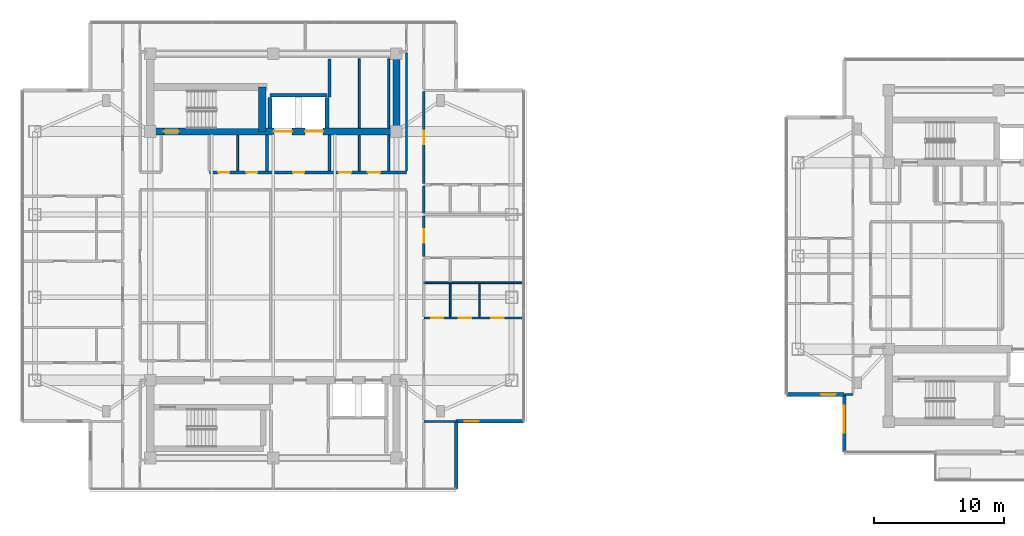
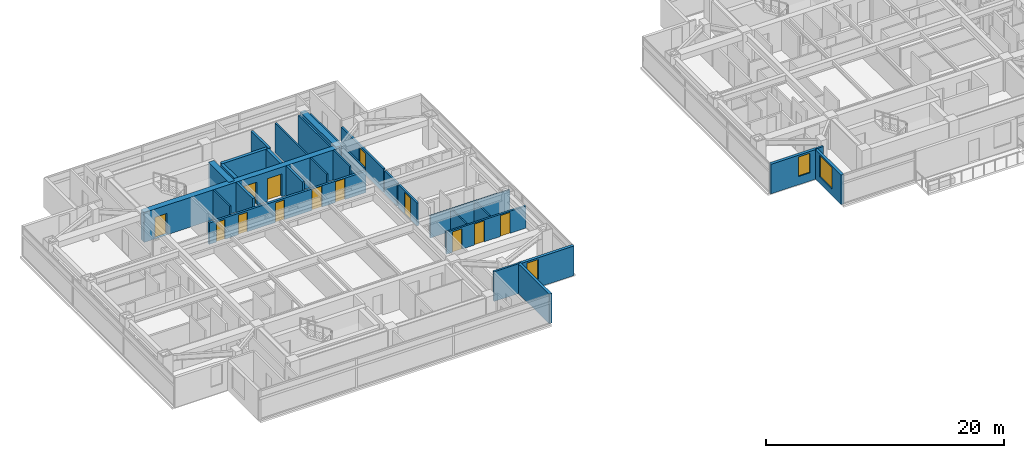
# One storey, part 13 of 23: 29 walls, 13 doors, 3 windows, 16 openings.
"""IFC4 building model written with IfcOpenShell, lengths in metres."""

from ifc_helpers import new_model, si_unit, direction, frame, frame_2d, origin, place, context, subcontext, project, spatial, rectangle, extrude, material, layer, layer_set, type_object, element, fill, save


model = new_model("IFC4")

# Units and contexts
model_context = context("Model", 3, precision=1e-05, world=origin(), true_north=direction((0.0, 1.0)))
body_context = subcontext(model_context, "Body", "Model", "MODEL_VIEW")
ifc_project = project(units=[si_unit("LENGTHUNIT", "METRE"), si_unit("AREAUNIT", "SQUARE_METRE"), si_unit("VOLUMEUNIT", "CUBIC_METRE"), si_unit("PLANEANGLEUNIT", "RADIAN"), si_unit("MASSUNIT", "GRAM", prefix="KILO")], contexts=[model_context])

# Site, building, storey
site_placement = place(None, origin())
site = spatial("IfcSite", under=ifc_project, at=site_placement, CompositionType="ELEMENT")
building_placement = place(site_placement, origin())
building = spatial("IfcBuilding", under=site, at=building_placement, Name="Mirazonda Arch Towers", CompositionType="ELEMENT")
storey_placement = place(building_placement, frame((0.0, 0.0, 183.64990234375)))
storey = spatial("IfcBuildingStorey", under=building, at=storey_placement, Name="L52", CompositionType="ELEMENT", Elevation=183.64990234375)

# Wall
ifc_material_1 = material(Name="Concrete C50/60", Category="concrete")
ifc_layer_1 = layer(ifc_material_1, 0.550048828125, Name="WALL-CORE-550")
ifc_layer_set_1 = layer_set([ifc_layer_1], Name="Concrete C50/60")
wall_type_1 = type_object("IfcWallType", Name="WALL-CORE-550", PredefinedType="SHEAR", material=ifc_layer_set_1)
wall_1_placement = place(storey_placement, frame((30.0, 37.60009765625, 0.0), z_axis=(0.0, 0.0, 1.0), x_axis=(0.0, 1.0, 0.0)))
element("IfcWall", 1, at=wall_1_placement, inside=storey, type_object=wall_type_1, Name="L52 T1N-E Core Shear Wall", PredefinedType="SHEAR", context=body_context, shape_type="SweptSolid", body=[
    extrude(rectangle(XDim=6.0, YDim=0.550048828125, at=frame_2d((3.0, 0.0))), origin(), (0.0, 0.0, 1.0), 3.050048828125),
])

# Wall, openings, doors
wall_2_placement = place(storey_placement, frame((11.0, 37.60009765625, 0.0), z_axis=(0.0, 0.0, 1.0), x_axis=(1.0, 0.0, 0.0)))
wall_2 = element("IfcWall", 2, at=wall_2_placement, inside=storey, type_object=wall_type_1, Name="L52 T1N-S Core Shear Wall", PredefinedType="SHEAR", context=body_context, shape_type="SweptSolid", body=[
    extrude(rectangle(XDim=19.0, YDim=0.550048828125, at=frame_2d((9.5, 0.0))), origin(), (0.0, 0.0, 1.0), 3.050048828125),
])
opening_1_placement = place(wall_2_placement, frame((1.06005859375, 0.0, 0.0)))
opening_1 = element("IfcOpeningElement", 3, at=opening_1_placement, cuts=wall_2, Name="Opening DR-135", PredefinedType="OPENING", context=body_context, shape_type="SweptSolid", body=[
    extrude(rectangle(XDim=1.14990234375, YDim=2.199951171875, at=frame_2d((0.574951171875, 1.10009765625))), frame((0.0, 0.284912109375, 0.0), z_axis=(0.0, -1.0, 0.0), x_axis=(1.0, 0.0, 0.0)), (0.0, 0.0, 1.0), 0.570068359375),
])
opening_2_placement = place(wall_2_placement, frame((9.550048828125, 0.0, 0.0)))
opening_2 = element("IfcOpeningElement", 4, at=opening_2_placement, cuts=wall_2, Name="Opening LD-112", PredefinedType="OPENING", context=body_context, shape_type="SweptSolid", body=[
    extrude(rectangle(XDim=1.39990234375, YDim=2.35009765625, at=frame_2d((0.699951171875, 1.175048828125))), frame((0.0, 0.284912109375, 0.0), z_axis=(0.0, -1.0, 0.0), x_axis=(1.0, 0.0, 0.0)), (0.0, 0.0, 1.0), 0.570068359375),
])
opening_3_placement = place(wall_2_placement, frame((11.949951171875, 0.0, 0.0)))
opening_3 = element("IfcOpeningElement", 5, at=opening_3_placement, cuts=wall_2, Name="Opening LD-112", PredefinedType="OPENING", context=body_context, shape_type="SweptSolid", body=[
    extrude(rectangle(XDim=1.39990234375, YDim=2.35009765625, at=frame_2d((0.699951171875, 1.175048828125))), frame((0.0, 0.284912109375, 0.0), z_axis=(0.0, -1.0, 0.0), x_axis=(1.0, 0.0, 0.0)), (0.0, 0.0, 1.0), 0.570068359375),
])
ifc_material_2 = material(Name="Architectural Brushed Steel S355", Category="steel")
door_type_1 = type_object("IfcDoorType", Name="DOOR-LIFT-FFL-1400", OperationType="NOTDEFINED", PredefinedType="DOOR", material=ifc_material_2)
door_1_placement = place(opening_2_placement, origin())
door_1 = element("IfcDoor", 6, at=door_1_placement, inside=storey, type_object=door_type_1, Name="L52 Lift Landing Sliding Door FFL-T1", OperationType="DOUBLE_DOOR_SLIDING", OverallHeight=2.35009765625, OverallWidth=1.39990234375, PredefinedType="DOOR", context=body_context, shape_type="SweptSolid", body=[
    extrude(rectangle(XDim=1.39990234375, YDim=2.35009765625, at=frame_2d((0.699951171875, 1.175048828125))), frame((0.0, 0.02490234375, 0.0), z_axis=(0.0, -1.0, 0.0), x_axis=(1.0, 0.0, 0.0)), (0.0, 0.0, 1.0), 0.050048828125),
])
fill(opening_2, door_1)
door_2_placement = place(opening_3_placement, origin())
door_2 = element("IfcDoor", 7, at=door_2_placement, inside=storey, type_object=door_type_1, Name="L52 Lift Landing Sliding Door SVL-T1", OperationType="DOUBLE_DOOR_SLIDING", OverallHeight=2.35009765625, OverallWidth=1.39990234375, PredefinedType="DOOR", context=body_context, shape_type="SweptSolid", body=[
    extrude(rectangle(XDim=1.39990234375, YDim=2.35009765625, at=frame_2d((0.699951171875, 1.175048828125))), frame((0.0, 0.02490234375, 0.0), z_axis=(0.0, -1.0, 0.0), x_axis=(1.0, 0.0, 0.0)), (0.0, 0.0, 1.0), 0.050048828125),
])
fill(opening_3, door_2)
door_type_2 = type_object("IfcDoorType", Name="DOOR-STAIR-FD90-1150", OperationType="NOTDEFINED", PredefinedType="DOOR", material=ifc_material_2)
door_3_placement = place(opening_1_placement, origin())
door_3 = element("IfcDoor", 8, at=door_3_placement, inside=storey, type_object=door_type_2, Name="L52 Protected Exit Stair North Door", OperationType="SINGLE_SWING_LEFT", OverallHeight=2.199951171875, OverallWidth=1.14990234375, PredefinedType="DOOR", context=body_context, shape_type="SweptSolid", body=[
    extrude(rectangle(XDim=1.14990234375, YDim=2.199951171875, at=frame_2d((0.574951171875, 1.10009765625))), frame((0.0, 0.02490234375, 0.0), z_axis=(0.0, -1.0, 0.0), x_axis=(1.0, 0.0, 0.0)), (0.0, 0.0, 1.0), 0.050048828125),
])
fill(opening_1, door_3)

# Wall
wall_3_placement = place(storey_placement, frame((19.64990234375, 37.60009765625, 0.0), z_axis=(0.0, 0.0, 1.0), x_axis=(0.0, 1.0, 0.0)))
element("IfcWall", 9, at=wall_3_placement, inside=storey, type_object=wall_type_1, Name="L52 T1N-STE Core Shear Wall", PredefinedType="SHEAR", context=body_context, shape_type="SweptSolid", body=[
    extrude(rectangle(XDim=3.44287109375, YDim=0.550048828125, at=frame_2d((1.721435546875, 0.0))), origin(), (0.0, 0.0, 1.0), 3.050048828125),
])

# Wall, opening, window
ifc_material_3 = material(Name="Precast Concrete C40/50", Category="concrete")
ifc_layer_2 = layer(ifc_material_3, 0.280029296875, Name="WALL-EXT-WALL-280")
ifc_layer_set_2 = layer_set([ifc_layer_2], Name="Precast Concrete C40/50")
wall_type_2 = type_object("IfcWallType", Name="WALL-EXT-WALL-280", PredefinedType="SOLIDWALL", material=ifc_layer_set_2)
wall_4_placement = place(storey_placement, frame((34.614990234375, 15.22509765625, 0.0), z_axis=(0.0, 0.0, 1.0), x_axis=(1.0, 0.0, 0.0)))
wall_4 = element("IfcWall", 10, at=wall_4_placement, inside=storey, type_object=wall_type_2, Name="L52 T1 Corner Notch Return Wall WL-L52-T1-CSE1", PredefinedType="SOLIDWALL", context=body_context, shape_type="SweptSolid", body=[
    extrude(rectangle(XDim=5.215087890625, YDim=0.280029296875, at=frame_2d((2.607421875, 0.0))), origin(), (0.0, 0.0, 1.0), 3.030029296875),
])
opening_4_placement = place(wall_4_placement, frame((0.64990234375, 0.0, 0.85009765625)))
opening_4 = element("IfcOpeningElement", 11, at=opening_4_placement, cuts=wall_4, Name="Opening WN-108", PredefinedType="OPENING", context=body_context, shape_type="SweptSolid", body=[
    extrude(rectangle(XDim=1.10009765625, YDim=2.0, at=frame_2d((0.550048828125, 1.0))), frame((0.0, 0.14990234375, 0.0), z_axis=(0.0, -1.0, 0.0), x_axis=(1.0, 0.0, 0.0)), (0.0, 0.0, 1.0), 0.300048828125),
])
ifc_material_4 = material(Name="Insulated Low-E Solar Glass", Category="glass")
window_type_1 = type_object("IfcWindowType", Name="WIN-NOTCH-1100x2000", PartitioningType="SINGLE_PANEL", PredefinedType="WINDOW", material=ifc_material_4)
window_1_placement = place(opening_4_placement, origin())
window_1 = element("IfcWindow", 12, at=window_1_placement, inside=storey, type_object=window_type_1, Name="L52 Punched Facade Window WN-L52-T1-CSE1", OverallHeight=2.0, OverallWidth=1.10009765625, PartitioningType="SINGLE_PANEL", PredefinedType="WINDOW", context=body_context, shape_type="SweptSolid", body=[
    extrude(rectangle(XDim=1.10009765625, YDim=2.0, at=frame_2d((0.550048828125, 1.0))), frame((0.0, 0.030029296875, 0.0), z_axis=(0.0, -1.0, 0.0), x_axis=(1.0, 0.0, 0.0)), (0.0, 0.0, 1.0), 0.06005859375),
])
fill(opening_4, window_1)

# Wall
wall_5_placement = place(storey_placement, frame((34.614990234375, 10.010009765625, 0.0), z_axis=(0.0, 0.0, 1.0), x_axis=(0.0, 1.0, 0.0)))
element("IfcWall", 13, at=wall_5_placement, inside=storey, type_object=wall_type_2, Name="L52 T1 Corner Notch Return Wall WL-L52-T1-CSE2", PredefinedType="SOLIDWALL", context=body_context, shape_type="SweptSolid", body=[
    extrude(rectangle(XDim=5.215087890625, YDim=0.280029296875, at=frame_2d((2.607421875, 0.0))), origin(), (0.0, 0.0, 1.0), 3.030029296875),
])

# Wall, opening, window
wall_6_placement = place(storey_placement, frame((64.562255859375, 17.30126953125, 0.0), z_axis=(0.0, 0.0, 1.0), x_axis=(0.0, -1.0, 0.0)))
wall_6 = element("IfcWall", 14, at=wall_6_placement, inside=storey, type_object=wall_type_2, Name="L52 T2 Notched SW Corner Wall WL-L52-T2-CSW", PredefinedType="SOLIDWALL", context=body_context, shape_type="SweptSolid", body=[
    extrude(rectangle(XDim=4.439697265625, YDim=0.280029296875, at=frame_2d((2.2197265625, 0.0))), origin(), (0.0, 0.0, 1.0), 3.030029296875),
])
opening_5_placement = place(wall_6_placement, frame((0.85009765625, 0.0, 0.679931640625)))
opening_5 = element("IfcOpeningElement", 15, at=opening_5_placement, cuts=wall_6, Name="Opening WN-117", PredefinedType="OPENING", context=body_context, shape_type="SweptSolid", body=[
    extrude(rectangle(XDim=2.10009765625, YDim=2.199951171875, at=frame_2d((1.050048828125, 1.10009765625))), frame((0.0, 0.14990234375, 0.0), z_axis=(0.0, -1.0, 0.0), x_axis=(1.0, 0.0, 0.0)), (0.0, 0.0, 1.0), 0.300048828125),
])
window_type_2 = type_object("IfcWindowType", Name="WIN-RES-2100x2200", PartitioningType="SINGLE_PANEL", PredefinedType="WINDOW", material=ifc_material_4)
window_2_placement = place(opening_5_placement, origin())
window_2 = element("IfcWindow", 16, at=window_2_placement, inside=storey, type_object=window_type_2, Name="L52 Punched Facade Window WN-L52-T2-CSW", OverallHeight=2.199951171875, OverallWidth=2.10009765625, PartitioningType="SINGLE_PANEL", PredefinedType="WINDOW", context=body_context, shape_type="SweptSolid", body=[
    extrude(rectangle(XDim=2.10009765625, YDim=2.199951171875, at=frame_2d((1.050048828125, 1.10009765625))), frame((0.0, 0.030029296875, 0.0), z_axis=(0.0, -1.0, 0.0), x_axis=(1.0, 0.0, 0.0)), (0.0, 0.0, 1.0), 0.06005859375),
])
fill(opening_5, window_2)

wall_7_placement = place(storey_placement, frame((60.12255859375, 17.30126953125, 0.0), z_axis=(0.0, 0.0, 1.0), x_axis=(1.0, 0.0, 0.0)))
wall_7 = element("IfcWall", 17, at=wall_7_placement, inside=storey, type_object=wall_type_2, Name="L52 T2 Corner Notch Return Wall WL-L52-T2-CSW2", PredefinedType="SOLIDWALL", context=body_context, shape_type="SweptSolid", body=[
    extrude(rectangle(XDim=4.439697265625, YDim=0.280029296875, at=frame_2d((2.2197265625, 0.0))), origin(), (0.0, 0.0, 1.0), 3.030029296875),
])
opening_6_placement = place(wall_7_placement, frame((2.68994140625, 0.0, 0.85009765625)))
opening_6 = element("IfcOpeningElement", 18, at=opening_6_placement, cuts=wall_7, Name="Opening WN-108", PredefinedType="OPENING", context=body_context, shape_type="SweptSolid", body=[
    extrude(rectangle(XDim=1.10009765625, YDim=2.0, at=frame_2d((0.550048828125, 1.0))), frame((0.0, 0.14990234375, 0.0), z_axis=(0.0, -1.0, 0.0), x_axis=(1.0, 0.0, 0.0)), (0.0, 0.0, 1.0), 0.300048828125),
])
window_3_placement = place(opening_6_placement, origin())
window_3 = element("IfcWindow", 19, at=window_3_placement, inside=storey, type_object=window_type_1, Name="L52 Punched Facade Window WN-L52-T2-CSW2", OverallHeight=2.0, OverallWidth=1.10009765625, PartitioningType="SINGLE_PANEL", PredefinedType="WINDOW", context=body_context, shape_type="SweptSolid", body=[
    extrude(rectangle(XDim=1.10009765625, YDim=2.0, at=frame_2d((0.550048828125, 1.0))), frame((0.0, 0.030029296875, 0.0), z_axis=(0.0, -1.0, 0.0), x_axis=(1.0, 0.0, 0.0)), (0.0, 0.0, 1.0), 0.06005859375),
])
fill(opening_6, window_3)

# Wall, openings, doors
ifc_material_5 = material(Name="Concrete C40/50", Category="concrete")
ifc_layer_3 = layer(ifc_material_5, 0.219970703125, Name="WALL-FFL-220")
ifc_layer_set_3 = layer_set([ifc_layer_3], Name="Concrete C40/50")
wall_type_3 = type_object("IfcWallType", Name="WALL-FFL-220", PredefinedType="SOLIDWALL", material=ifc_layer_set_3)
wall_8_placement = place(storey_placement, frame((15.590087890625, 34.449951171875, 0.0), z_axis=(0.0, 0.0, 1.0), x_axis=(1.0, 0.0, 0.0)))
wall_8 = element("IfcWall", 20, at=wall_8_placement, inside=storey, type_object=wall_type_3, Name="L52 Interior Partition 049", PredefinedType="SOLIDWALL", context=body_context, shape_type="SweptSolid", body=[
    extrude(rectangle(XDim=15.18994140625, YDim=0.219970703125, at=frame_2d((7.594970703125, 0.0))), origin(), (0.0, 0.0, 1.0), 2.18603515625),
])
opening_7_placement = place(wall_8_placement, frame((6.43505859375, 0.0, 0.0)))
opening_7 = element("IfcOpeningElement", 21, at=opening_7_placement, cuts=wall_8, Name="Opening DR-128", PredefinedType="OPENING", context=body_context, shape_type="SweptSolid", body=[
    extrude(rectangle(XDim=0.85009765625, YDim=2.010009765625, at=frame_2d((0.425048828125, 1.0048828125))), frame((0.0, 0.119873046875, 0.0), z_axis=(0.0, -1.0, 0.0), x_axis=(1.0, 0.0, 0.0)), (0.0, 0.0, 1.0), 0.239990234375),
])
opening_8_placement = place(wall_8_placement, frame((9.9599609375, 0.0, 0.0)))
opening_8 = element("IfcOpeningElement", 22, at=opening_8_placement, cuts=wall_8, Name="Opening DR-104", PredefinedType="OPENING", context=body_context, shape_type="SweptSolid", body=[
    extrude(rectangle(XDim=0.949951171875, YDim=2.14990234375, at=frame_2d((0.47509765625, 1.074951171875))), frame((0.0, 0.119873046875, 0.0), z_axis=(0.0, -1.0, 0.0), x_axis=(1.0, 0.0, 0.0)), (0.0, 0.0, 1.0), 0.239990234375),
])
opening_9_placement = place(wall_8_placement, frame((12.2099609375, 0.0, 0.0)))
opening_9 = element("IfcOpeningElement", 23, at=opening_9_placement, cuts=wall_8, Name="Opening DR-104", PredefinedType="OPENING", context=body_context, shape_type="SweptSolid", body=[
    extrude(rectangle(XDim=0.949951171875, YDim=2.14990234375, at=frame_2d((0.47509765625, 1.074951171875))), frame((0.0, 0.119873046875, 0.0), z_axis=(0.0, -1.0, 0.0), x_axis=(1.0, 0.0, 0.0)), (0.0, 0.0, 1.0), 0.239990234375),
])
opening_10_placement = place(wall_8_placement, frame((0.675048828125, 0.0, 0.0)))
opening_10 = element("IfcOpeningElement", 24, at=opening_10_placement, cuts=wall_8, Name="Opening DR-128", PredefinedType="OPENING", context=body_context, shape_type="SweptSolid", body=[
    extrude(rectangle(XDim=0.85009765625, YDim=2.010009765625, at=frame_2d((0.425048828125, 1.0048828125))), frame((0.0, 0.119873046875, 0.0), z_axis=(0.0, -1.0, 0.0), x_axis=(1.0, 0.0, 0.0)), (0.0, 0.0, 1.0), 0.239990234375),
])
opening_11_placement = place(wall_8_placement, frame((2.8349609375, 0.0, 0.0)))
opening_11 = element("IfcOpeningElement", 25, at=opening_11_placement, cuts=wall_8, Name="Opening DR-128", PredefinedType="OPENING", context=body_context, shape_type="SweptSolid", body=[
    extrude(rectangle(XDim=0.85009765625, YDim=2.010009765625, at=frame_2d((0.425048828125, 1.0048828125))), frame((0.0, 0.119873046875, 0.0), z_axis=(0.0, -1.0, 0.0), x_axis=(1.0, 0.0, 0.0)), (0.0, 0.0, 1.0), 0.239990234375),
])
door_type_3 = type_object("IfcDoorType", Name="DOOR-RISER-FD60-850", OperationType="NOTDEFINED", PredefinedType="DOOR", material=ifc_material_2)
door_4_placement = place(opening_7_placement, origin())
door_4 = element("IfcDoor", 26, at=door_4_placement, inside=storey, type_object=door_type_3, Name="L52 Firefighting Lift Lobby Door", OperationType="SINGLE_SWING_RIGHT", OverallHeight=2.010009765625, OverallWidth=0.85009765625, PredefinedType="DOOR", context=body_context, shape_type="SweptSolid", body=[
    extrude(rectangle(XDim=0.85009765625, YDim=2.010009765625, at=frame_2d((0.425048828125, 1.0048828125))), frame((0.0, 0.02490234375, 0.0), z_axis=(0.0, -1.0, 0.0), x_axis=(1.0, 0.0, 0.0)), (0.0, 0.0, 1.0), 0.050048828125),
])
fill(opening_7, door_4)
door_5_placement = place(opening_10_placement, origin())
door_5 = element("IfcDoor", 27, at=door_5_placement, inside=storey, type_object=door_type_3, Name="L52 Electrical Room Door", OperationType="SINGLE_SWING_LEFT", OverallHeight=2.010009765625, OverallWidth=0.85009765625, PredefinedType="DOOR", context=body_context, shape_type="SweptSolid", body=[
    extrude(rectangle(XDim=0.85009765625, YDim=2.010009765625, at=frame_2d((0.425048828125, 1.0048828125))), frame((0.0, 0.02490234375, 0.0), z_axis=(0.0, -1.0, 0.0), x_axis=(1.0, 0.0, 0.0)), (0.0, 0.0, 1.0), 0.050048828125),
])
fill(opening_10, door_5)
door_6_placement = place(opening_11_placement, origin())
door_6 = element("IfcDoor", 28, at=door_6_placement, inside=storey, type_object=door_type_3, Name="L52 Cleaners & Housekeeping Store Door", OperationType="SINGLE_SWING_RIGHT", OverallHeight=2.010009765625, OverallWidth=0.85009765625, PredefinedType="DOOR", context=body_context, shape_type="SweptSolid", body=[
    extrude(rectangle(XDim=0.85009765625, YDim=2.010009765625, at=frame_2d((0.425048828125, 1.0048828125))), frame((0.0, 0.02490234375, 0.0), z_axis=(0.0, -1.0, 0.0), x_axis=(1.0, 0.0, 0.0)), (0.0, 0.0, 1.0), 0.050048828125),
])
fill(opening_11, door_6)
door_type_4 = type_object("IfcDoorType", Name="DOOR-ROOM-950", OperationType="NOTDEFINED", PredefinedType="DOOR", material=ifc_material_2)
door_7_placement = place(opening_8_placement, origin())
door_7 = element("IfcDoor", 29, at=door_7_placement, inside=storey, type_object=door_type_4, Name="L52 Residents Private Art Gallery Door", OperationType="SINGLE_SWING_LEFT", OverallHeight=2.14990234375, OverallWidth=0.949951171875, PredefinedType="DOOR", context=body_context, shape_type="SweptSolid", body=[
    extrude(rectangle(XDim=0.949951171875, YDim=2.14990234375, at=frame_2d((0.47509765625, 1.074951171875))), frame((0.0, 0.02490234375, 0.0), z_axis=(0.0, -1.0, 0.0), x_axis=(1.0, 0.0, 0.0)), (0.0, 0.0, 1.0), 0.050048828125),
])
fill(opening_8, door_7)
door_8_placement = place(opening_9_placement, origin())
door_8 = element("IfcDoor", 30, at=door_8_placement, inside=storey, type_object=door_type_4, Name="L52 Private Quiet Study Door", OperationType="SINGLE_SWING_RIGHT", OverallHeight=2.14990234375, OverallWidth=0.949951171875, PredefinedType="DOOR", context=body_context, shape_type="SweptSolid", body=[
    extrude(rectangle(XDim=0.949951171875, YDim=2.14990234375, at=frame_2d((0.47509765625, 1.074951171875))), frame((0.0, 0.02490234375, 0.0), z_axis=(0.0, -1.0, 0.0), x_axis=(1.0, 0.0, 0.0)), (0.0, 0.0, 1.0), 0.050048828125),
])
fill(opening_9, door_8)

# Walls
for number, where, z_axis, x_axis, name in (
    (31, (20.02490234375, 34.570068359375, 0.0), (0.0, 0.0, 1.0), (0.0, 1.0, 0.0), "L52 Interior Partition 085"),
    (32, (24.85009765625, 34.570068359375, 0.0), (0.0, 0.0, 1.0), (0.0, 1.0, 0.0), "L52 Interior Partition 095"),
):
    element("IfcWall", number, at=place(storey_placement, frame(where, z_axis=z_axis, x_axis=x_axis)), inside=storey, type_object=wall_type_3, Name=name, PredefinedType="SOLIDWALL", context=body_context, shape_type="SweptSolid", body=[
        extrude(rectangle(XDim=2.760009765625, YDim=0.219970703125, at=frame_2d((1.3798828125, 0.0))), origin(), (0.0, 0.0, 1.0), 3.050048828125),
    ])
wall_9_placement = place(storey_placement, frame((24.85009765625, 40.260009765625, 0.0), z_axis=(0.0, 0.0, 1.0), x_axis=(0.0, 1.0, 0.0)))
element("IfcWall", 33, at=wall_9_placement, inside=storey, type_object=wall_type_3, Name="L52 Interior Partition 096", PredefinedType="SOLIDWALL", context=body_context, shape_type="SweptSolid", body=[
    extrude(rectangle(XDim=2.93994140625, YDim=0.219970703125, at=frame_2d((1.469970703125, 0.0))), origin(), (0.0, 0.0, 1.0), 3.050048828125),
])
ifc_material_6 = material(Name="Fire-Rated Gypsum Stud Partition")
ifc_layer_4 = layer(ifc_material_6, 0.14990234375, Name="WALL-PART-CORR-150")
ifc_layer_set_4 = layer_set([ifc_layer_4], Name="Fire-Rated Gypsum Stud Partition")
wall_type_4 = type_object("IfcWallType", Name="WALL-PART-CORR-150", PredefinedType="PARTITIONING", material=ifc_layer_set_4)
for number, where, z_axis, x_axis, name in (
    (34, (17.75, 34.570068359375, 0.0), (0.0, 0.0, 1.0), (0.0, 1.0, 0.0), "L52 Interior Partition 083"),
    (35, (27.14990234375, 34.570068359375, 0.0), (0.0, 0.0, 1.0), (0.0, 1.0, 0.0), "L52 Interior Partition 098"),
):
    element("IfcWall", number, at=place(storey_placement, frame(where, z_axis=z_axis, x_axis=x_axis)), inside=storey, type_object=wall_type_4, Name=name, PredefinedType="PARTITIONING", context=body_context, shape_type="SweptSolid", body=[
        extrude(rectangle(XDim=2.760009765625, YDim=0.14990234375, at=frame_2d((1.3798828125, 0.0))), origin(), (0.0, 0.0, 1.0), 3.050048828125),
    ])
wall_10_placement = place(storey_placement, frame((27.14990234375, 37.8701171875, 0.0), z_axis=(0.0, 0.0, 1.0), x_axis=(0.0, 1.0, 0.0)))
element("IfcWall", 36, at=wall_10_placement, inside=storey, type_object=wall_type_4, Name="L52 Interior Partition 099", PredefinedType="PARTITIONING", context=body_context, shape_type="SweptSolid", body=[
    extrude(rectangle(XDim=5.329833984375, YDim=0.14990234375, at=frame_2d((2.6650390625, 0.0))), origin(), (0.0, 0.0, 1.0), 3.050048828125),
])
wall_11_placement = place(storey_placement, frame((29.39990234375, 34.570068359375, 0.0), z_axis=(0.0, 0.0, 1.0), x_axis=(0.0, 1.0, 0.0)))
element("IfcWall", 37, at=wall_11_placement, inside=storey, type_object=wall_type_4, Name="L52 Interior Partition 102", PredefinedType="PARTITIONING", context=body_context, shape_type="SweptSolid", body=[
    extrude(rectangle(XDim=2.760009765625, YDim=0.14990234375, at=frame_2d((1.3798828125, 0.0))), origin(), (0.0, 0.0, 1.0), 3.050048828125),
])
wall_12_placement = place(storey_placement, frame((29.39990234375, 37.8701171875, 0.0), z_axis=(0.0, 0.0, 1.0), x_axis=(0.0, 1.0, 0.0)))
element("IfcWall", 38, at=wall_12_placement, inside=storey, type_object=wall_type_4, Name="L52 Interior Partition 103", PredefinedType="PARTITIONING", context=body_context, shape_type="SweptSolid", body=[
    extrude(rectangle(XDim=5.329833984375, YDim=0.14990234375, at=frame_2d((2.6650390625, 0.0))), origin(), (0.0, 0.0, 1.0), 3.050048828125),
])
wall_13_placement = place(storey_placement, frame((30.780029296875, 34.570068359375, 0.0), z_axis=(0.0, 0.0, 1.0), x_axis=(0.0, 1.0, 0.0)))
element("IfcWall", 39, at=wall_13_placement, inside=storey, type_object=wall_type_4, Name="L52 Interior Partition 107", PredefinedType="PARTITIONING", context=body_context, shape_type="SweptSolid", body=[
    extrude(rectangle(XDim=9.094970703125, YDim=0.14990234375, at=frame_2d((4.54736328125, 0.0))), origin(), (0.0, 0.0, 1.0), 2.442138671875),
])
ifc_material_7 = material(Name="Fire-Rated Gypsum Twin-Stud Assembly")
ifc_layer_5 = layer(ifc_material_7, 0.179931640625, Name="WALL-PART-DEMISE-180")
ifc_layer_set_5 = layer_set([ifc_layer_5], Name="Fire-Rated Gypsum Twin-Stud Assembly")
wall_type_5 = type_object("IfcWallType", Name="WALL-PART-DEMISE-180", PredefinedType="PARTITIONING", material=ifc_layer_set_5)
wall_14_placement = place(storey_placement, frame((32.1201171875, 15.22509765625, 0.0), z_axis=(0.0, 0.0, 1.0), x_axis=(1.0, 0.0, 0.0)))
element("IfcWall", 40, at=wall_14_placement, inside=storey, type_object=wall_type_5, Name="L52 Interior Partition 005", PredefinedType="PARTITIONING", context=body_context, shape_type="SweptSolid", body=[
    extrude(rectangle(XDim=2.474853515625, YDim=0.179931640625, at=frame_2d((1.2373046875, 0.0))), origin(), (0.0, 0.0, 1.0), 3.050048828125),
])
wall_15_placement = place(storey_placement, frame((64.582275390625, 17.301025390625, 0.0), z_axis=(0.0, 0.0, 1.0), x_axis=(1.0, 0.0, 0.0)))
element("IfcWall", 41, at=wall_15_placement, inside=storey, type_object=wall_type_5, Name="L52 Interior Partition 008", PredefinedType="PARTITIONING", context=body_context, shape_type="SweptSolid", body=[
    extrude(rectangle(XDim=0.667724609375, YDim=0.179931640625, at=frame_2d((0.333984375, 0.0))), origin(), (0.0, 0.0, 1.0), 3.050048828125),
])

# Wall, openings, doors
wall_16_placement = place(storey_placement, frame((32.1201171875, 23.2099609375, 0.0), z_axis=(0.0, 0.0, 1.0), x_axis=(1.0, 0.0, 0.0)))
wall_16 = element("IfcWall", 42, at=wall_16_placement, inside=storey, type_object=wall_type_5, Name="L52 Interior Partition 025", PredefinedType="PARTITIONING", context=body_context, shape_type="SweptSolid", body=[
    extrude(rectangle(XDim=7.7099609375, YDim=0.179931640625, at=frame_2d((3.85498046875, 0.0))), origin(), (0.0, 0.0, 1.0), 2.26904296875),
])
opening_12_placement = place(wall_16_placement, frame((5.214111328125, 0.0, 0.0)))
opening_12 = element("IfcOpeningElement", 43, at=opening_12_placement, cuts=wall_16, Name="Opening DR-104", PredefinedType="OPENING", context=body_context, shape_type="SweptSolid", body=[
    extrude(rectangle(XDim=0.949951171875, YDim=2.14990234375, at=frame_2d((0.47509765625, 1.074951171875))), frame((0.0, 0.099853515625, 0.0), z_axis=(0.0, -1.0, 0.0), x_axis=(1.0, 0.0, 0.0)), (0.0, 0.0, 1.0), 0.199951171875),
])
opening_13_placement = place(wall_16_placement, frame((2.698974609375, 0.0, 0.0)))
opening_13 = element("IfcOpeningElement", 44, at=opening_13_placement, cuts=wall_16, Name="Opening DR-104", PredefinedType="OPENING", context=body_context, shape_type="SweptSolid", body=[
    extrude(rectangle(XDim=0.949951171875, YDim=2.14990234375, at=frame_2d((0.47509765625, 1.074951171875))), frame((0.0, 0.099853515625, 0.0), z_axis=(0.0, -1.0, 0.0), x_axis=(1.0, 0.0, 0.0)), (0.0, 0.0, 1.0), 0.199951171875),
])
opening_14_placement = place(wall_16_placement, frame((0.590087890625, 0.0, 0.0)))
opening_14 = element("IfcOpeningElement", 45, at=opening_14_placement, cuts=wall_16, Name="Opening DR-120", PredefinedType="OPENING", context=body_context, shape_type="SweptSolid", body=[
    extrude(rectangle(XDim=0.89990234375, YDim=2.10009765625, at=frame_2d((0.449951171875, 1.050048828125))), frame((0.0, 0.099853515625, 0.0), z_axis=(0.0, -1.0, 0.0), x_axis=(1.0, 0.0, 0.0)), (0.0, 0.0, 1.0), 0.199951171875),
])
door_9_placement = place(opening_12_placement, origin())
door_9 = element("IfcDoor", 46, at=door_9_placement, inside=storey, type_object=door_type_4, Name="L52 Residence 1 Principal Bedroom Door", OperationType="SINGLE_SWING_RIGHT", OverallHeight=2.14990234375, OverallWidth=0.949951171875, PredefinedType="DOOR", context=body_context, shape_type="SweptSolid", body=[
    extrude(rectangle(XDim=0.949951171875, YDim=2.14990234375, at=frame_2d((0.47509765625, 1.074951171875))), frame((0.0, 0.02490234375, 0.0), z_axis=(0.0, -1.0, 0.0), x_axis=(1.0, 0.0, 0.0)), (0.0, 0.0, 1.0), 0.050048828125),
])
fill(opening_12, door_9)
door_10_placement = place(opening_13_placement, origin())
door_10 = element("IfcDoor", 47, at=door_10_placement, inside=storey, type_object=door_type_4, Name="L52 Residence 1 Fitted Kitchen Door", OperationType="SINGLE_SWING_LEFT", OverallHeight=2.14990234375, OverallWidth=0.949951171875, PredefinedType="DOOR", context=body_context, shape_type="SweptSolid", body=[
    extrude(rectangle(XDim=0.949951171875, YDim=2.14990234375, at=frame_2d((0.47509765625, 1.074951171875))), frame((0.0, 0.02490234375, 0.0), z_axis=(0.0, -1.0, 0.0), x_axis=(1.0, 0.0, 0.0)), (0.0, 0.0, 1.0), 0.050048828125),
])
fill(opening_13, door_10)
door_type_5 = type_object("IfcDoorType", Name="DOOR-WC-900", OperationType="NOTDEFINED", PredefinedType="DOOR", material=ifc_material_2)
door_11_placement = place(opening_14_placement, origin())
door_11 = element("IfcDoor", 48, at=door_11_placement, inside=storey, type_object=door_type_5, Name="L52 Residence 1 Bathroom Door", OperationType="SINGLE_SWING_RIGHT", OverallHeight=2.10009765625, OverallWidth=0.89990234375, PredefinedType="DOOR", context=body_context, shape_type="SweptSolid", body=[
    extrude(rectangle(XDim=0.89990234375, YDim=2.10009765625, at=frame_2d((0.449951171875, 1.050048828125))), frame((0.0, 0.02490234375, 0.0), z_axis=(0.0, -1.0, 0.0), x_axis=(1.0, 0.0, 0.0)), (0.0, 0.0, 1.0), 0.050048828125),
])
fill(opening_14, door_11)

# Wall, opening, door
wall_17_placement = place(storey_placement, frame((32.1201171875, 27.949951171875, 0.0), z_axis=(0.0, 0.0, 1.0), x_axis=(0.0, 1.0, 0.0)))
wall_17 = element("IfcWall", 49, at=wall_17_placement, inside=storey, type_object=wall_type_5, Name="L52 Interior Partition 113", PredefinedType="PARTITIONING", context=body_context, shape_type="SweptSolid", body=[
    extrude(rectangle(XDim=3.150146484375, YDim=0.179931640625, at=frame_2d((1.5751953125, 0.0))), origin(), (0.0, 0.0, 1.0), 2.34619140625),
])
opening_15_placement = place(wall_17_placement, frame((1.050048828125, 0.0, 0.0)))
opening_15 = element("IfcOpeningElement", 50, at=opening_15_placement, cuts=wall_17, Name="Opening DR-121", PredefinedType="OPENING", context=body_context, shape_type="SweptSolid", body=[
    extrude(rectangle(XDim=1.050048828125, YDim=2.199951171875, at=frame_2d((0.52490234375, 1.10009765625))), frame((0.0, 0.099853515625, 0.0), z_axis=(0.0, -1.0, 0.0), x_axis=(1.0, 0.0, 0.0)), (0.0, 0.0, 1.0), 0.199951171875),
])
door_type_6 = type_object("IfcDoorType", Name="DOOR-SUITE-FD60-1050", OperationType="NOTDEFINED", PredefinedType="DOOR", material=ifc_material_2)
door_12_placement = place(opening_15_placement, origin())
door_12 = element("IfcDoor", 51, at=door_12_placement, inside=storey, type_object=door_type_6, Name="L52 Studio Apartment 2 Living Salon Door", OperationType="SINGLE_SWING_LEFT", OverallHeight=2.199951171875, OverallWidth=1.050048828125, PredefinedType="DOOR", context=body_context, shape_type="SweptSolid", body=[
    extrude(rectangle(XDim=1.050048828125, YDim=2.199951171875, at=frame_2d((0.52490234375, 1.10009765625))), frame((0.0, 0.02490234375, 0.0), z_axis=(0.0, -1.0, 0.0), x_axis=(1.0, 0.0, 0.0)), (0.0, 0.0, 1.0), 0.050048828125),
])
fill(opening_15, door_12)

# Wall
wall_18_placement = place(storey_placement, frame((32.1201171875, 31.300048828125, 0.0), z_axis=(0.0, 0.0, 1.0), x_axis=(0.0, 1.0, 0.0)))
element("IfcWall", 52, at=wall_18_placement, inside=storey, type_object=wall_type_5, Name="L52 Interior Partition 114", PredefinedType="PARTITIONING", context=body_context, shape_type="SweptSolid", body=[
    extrude(rectangle(XDim=2.099853515625, YDim=0.179931640625, at=frame_2d((1.0498046875, 0.0))), origin(), (0.0, 0.0, 1.0), 2.34619140625),
])

# Wall, opening, door
wall_19_placement = place(storey_placement, frame((32.1201171875, 33.60009765625, 0.0), z_axis=(0.0, 0.0, 1.0), x_axis=(0.0, 1.0, 0.0)))
wall_19 = element("IfcWall", 53, at=wall_19_placement, inside=storey, type_object=wall_type_5, Name="L52 Interior Partition 115", PredefinedType="PARTITIONING", context=body_context, shape_type="SweptSolid", body=[
    extrude(rectangle(XDim=7.074951171875, YDim=0.179931640625, at=frame_2d((3.53759765625, 0.0))), origin(), (0.0, 0.0, 1.0), 2.442138671875),
])
opening_16_placement = place(wall_19_placement, frame((3.012451171875, 0.0, 0.0)))
opening_16 = element("IfcOpeningElement", 54, at=opening_16_placement, cuts=wall_19, Name="Opening DR-121", PredefinedType="OPENING", context=body_context, shape_type="SweptSolid", body=[
    extrude(rectangle(XDim=1.050048828125, YDim=2.199951171875, at=frame_2d((0.52490234375, 1.10009765625))), frame((0.0, 0.099853515625, 0.0), z_axis=(0.0, -1.0, 0.0), x_axis=(1.0, 0.0, 0.0)), (0.0, 0.0, 1.0), 0.199951171875),
])
door_13_placement = place(opening_16_placement, origin())
door_13 = element("IfcDoor", 55, at=door_13_placement, inside=storey, type_object=door_type_6, Name="L52 Residence 3 Living & Dining Salon Door", OperationType="SINGLE_SWING_RIGHT", OverallHeight=2.199951171875, OverallWidth=1.050048828125, PredefinedType="DOOR", context=body_context, shape_type="SweptSolid", body=[
    extrude(rectangle(XDim=1.050048828125, YDim=2.199951171875, at=frame_2d((0.52490234375, 1.10009765625))), frame((0.0, 0.02490234375, 0.0), z_axis=(0.0, -1.0, 0.0), x_axis=(1.0, 0.0, 0.0)), (0.0, 0.0, 1.0), 0.050048828125),
])
fill(opening_16, door_13)

# Walls
ifc_material_8 = material(Name="Acoustic Fire-Rated Gypsum Partition")
ifc_layer_6 = layer(ifc_material_8, 0.125, Name="WALL-PART-UNIT-125")
ifc_layer_set_6 = layer_set([ifc_layer_6], Name="Acoustic Fire-Rated Gypsum Partition")
wall_type_6 = type_object("IfcWallType", Name="WALL-PART-UNIT-125", PredefinedType="PARTITIONING", material=ifc_layer_set_6)
wall_20_placement = place(storey_placement, frame((32.1201171875, 25.929931640625, 0.0), z_axis=(0.0, 0.0, 1.0), x_axis=(1.0, 0.0, 0.0)))
element("IfcWall", 56, at=wall_20_placement, inside=storey, type_object=wall_type_6, Name="L52 Interior Partition 030", PredefinedType="PARTITIONING", context=body_context, shape_type="SweptSolid", body=[
    extrude(rectangle(XDim=7.7099609375, YDim=0.125, at=frame_2d((3.85498046875, 0.0))), origin(), (0.0, 0.0, 1.0), 2.26904296875),
])
for number, where, z_axis, x_axis, name in (
    (57, (34.159912109375, 23.31005859375, 0.0), (0.0, 0.0, 1.0), (0.0, 1.0, 0.0), "L52 Interior Partition 117"),
    (58, (36.427978515625, 23.31005859375, 0.0), (0.0, 0.0, 1.0), (0.0, 1.0, 0.0), "L52 Interior Partition 120"),
):
    element("IfcWall", number, at=place(storey_placement, frame(where, z_axis=z_axis, x_axis=x_axis)), inside=storey, type_object=wall_type_6, Name=name, PredefinedType="PARTITIONING", context=body_context, shape_type="SweptSolid", body=[
        extrude(rectangle(XDim=2.54736328125, YDim=0.125, at=frame_2d((1.273681640625, 0.0))), origin(), (0.0, 0.0, 1.0), 2.34619140625),
    ])
ifc_layer_7 = layer(ifc_material_1, 0.300048828125, Name="WALL-SHAFT-300")
ifc_layer_set_7 = layer_set([ifc_layer_7], Name="Concrete C50/60")
wall_type_7 = type_object("IfcWallType", Name="WALL-SHAFT-300", PredefinedType="SOLIDWALL", material=ifc_layer_set_7)
wall_21_placement = place(storey_placement, frame((20.25, 40.39990234375, 0.0), z_axis=(0.0, 0.0, 1.0), x_axis=(1.0, 0.0, 0.0)))
element("IfcWall", 59, at=wall_21_placement, inside=storey, type_object=wall_type_7, Name="L52 Interior Partition 056", PredefinedType="SOLIDWALL", context=body_context, shape_type="SweptSolid", body=[
    extrude(rectangle(XDim=4.39990234375, YDim=0.300048828125, at=frame_2d((2.199951171875, 0.0))), origin(), (0.0, 0.0, 1.0), 3.050048828125),
])
for number, where, z_axis, x_axis, name in (
    (60, (20.25, 37.8701171875, 0.0), (0.0, 0.0, 1.0), (0.0, 1.0, 0.0), "L52 Interior Partition 089"),
    (61, (24.64990234375, 37.8701171875, 0.0), (0.0, 0.0, 1.0), (0.0, 1.0, 0.0), "L52 Interior Partition 094"),
):
    element("IfcWall", number, at=place(storey_placement, frame(where, z_axis=z_axis, x_axis=x_axis)), inside=storey, type_object=wall_type_7, Name=name, PredefinedType="SOLIDWALL", context=body_context, shape_type="SweptSolid", body=[
        extrude(rectangle(XDim=2.369873046875, YDim=0.300048828125, at=frame_2d((1.18505859375, 0.0))), origin(), (0.0, 0.0, 1.0), 3.050048828125),
    ])

save(model, "model.ifc")
